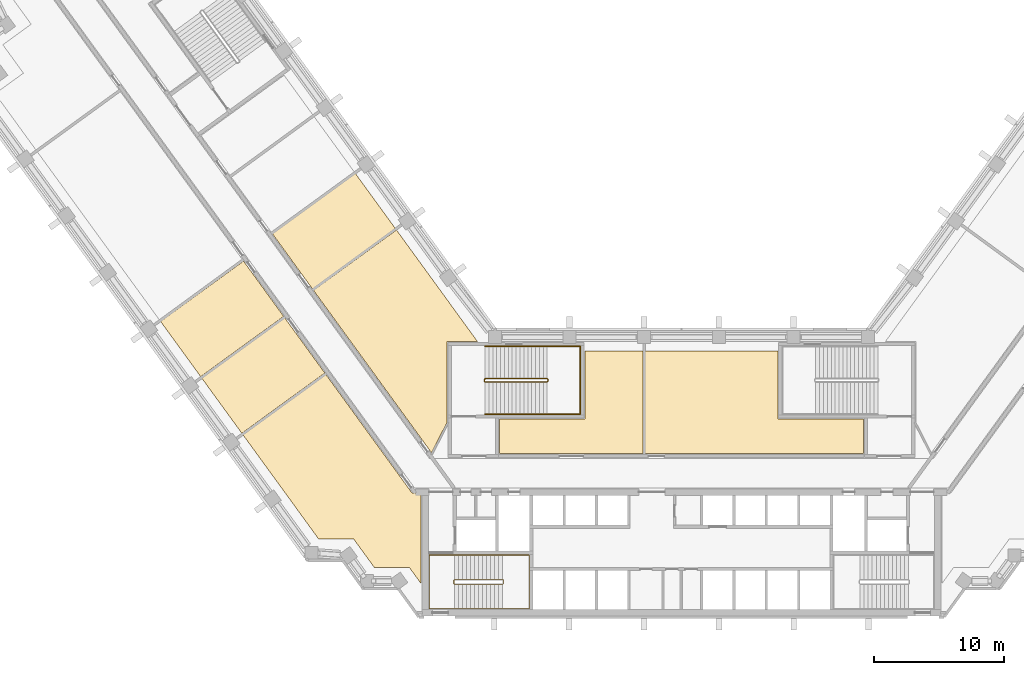
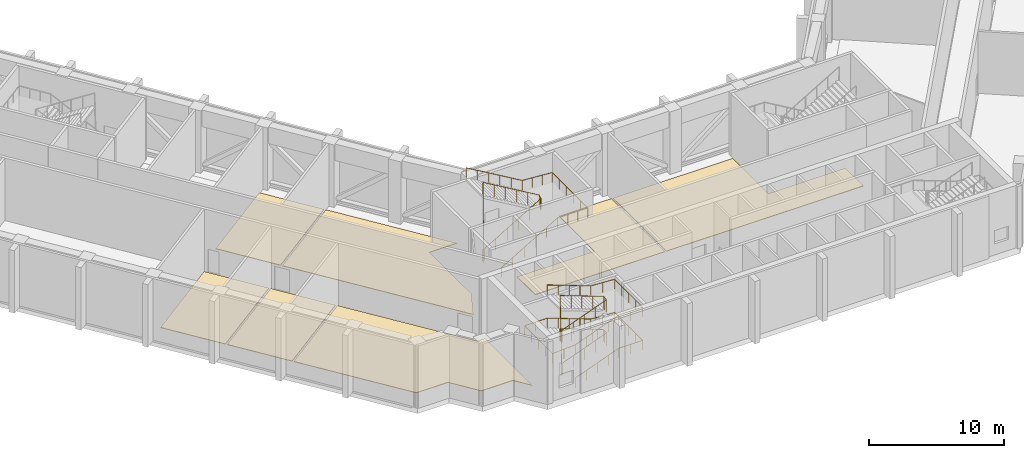
# One storey, part 16 of 18: 7 coverings, 4 railings.
"""IFC4 building model written with IfcOpenShell, lengths in metres."""

from ifc_helpers import new_model, si_unit, direction, frame, origin, origin_2d, place, context, subcontext, project, spatial, polyline, circle, outline, extrude, material, layer, layer_set, type_object, element, save


model = new_model("IFC4")

# Units and contexts
model_context = context("Model", 3, precision=1e-05, world=origin(), true_north=direction((0.0, 1.0)))
body_context = subcontext(model_context, "Body", "Model", "MODEL_VIEW")
ifc_project = project(units=[si_unit("LENGTHUNIT", "METRE"), si_unit("AREAUNIT", "SQUARE_METRE"), si_unit("VOLUMEUNIT", "CUBIC_METRE"), si_unit("PLANEANGLEUNIT", "RADIAN"), si_unit("MASSUNIT", "GRAM", prefix="KILO")], contexts=[model_context])

# Site, building, storey
site_placement = place(None, origin())
site = spatial("IfcSite", under=ifc_project, at=site_placement, CompositionType="ELEMENT")
building_placement = place(site_placement, origin())
building = spatial("IfcBuilding", under=site, at=building_placement, Name="Quipu Civic Tower", CompositionType="ELEMENT")
storey_placement = place(building_placement, frame((0.0, 0.0, 79.0)))
storey = spatial("IfcBuildingStorey", under=building, at=storey_placement, Name="L18", CompositionType="ELEMENT", Elevation=79.0)

# Coverings
ifc_material_1 = material(Name="Sealed cement screed")
ifc_layer = layer(ifc_material_1, 0.050048828125)
ifc_layer_set = layer_set([ifc_layer], Name="Sealed cement screed")
covering_type = type_object("IfcCoveringType", Name="Sealed screed floor finish 50", PredefinedType="FLOORING", material=ifc_layer_set)
covering_1_placement = place(storey_placement, origin())
element("IfcCovering", 1, at=covering_1_placement, inside=storey, type_object=covering_type, Name="Sealed screed floor finish 50", PredefinedType="FLOORING", context=body_context, shape_type="SweptSolid", body=[
    extrude(outline(polyline([(-2.80908203125, 1.52001953125), (-2.80908203125, 9.429931640625), (7.429931640625, 9.429931640625), (7.430908203125, 4.179931640625), (14.030029296875, 4.179931640625), (14.030029296875, 1.52001953125), (-2.80908203125, 1.52001953125)])), origin(), (0.0, 0.0, 1.0), 0.050048828125),
])
covering_2_placement = place(storey_placement, origin())
element("IfcCovering", 2, at=covering_2_placement, inside=storey, type_object=covering_type, Name="Sealed screed floor finish 50", PredefinedType="FLOORING", context=body_context, shape_type="SweptSolid", body=[
    extrude(outline(polyline([(-14.030029296875, 1.52001953125), (-14.030029296875, 4.179931640625), (-7.429931640625, 4.180908203125), (-7.429931640625, 9.429931640625), (-2.948974609375, 9.429931640625), (-2.948974609375, 1.52001953125), (-14.030029296875, 1.52001953125)])), origin(), (0.0, 0.0, 1.0), 0.050048828125),
])
covering_3_placement = place(storey_placement, origin())
element("IfcCovering", 3, at=covering_3_placement, inside=storey, type_object=covering_type, Name="Sealed screed floor finish 50", PredefinedType="FLOORING", context=body_context, shape_type="SweptSolid", body=[
    extrude(outline(polyline([(-31.544921875, 18.47802734375), (-25.14599609375, 23.1259765625), (-22.054931640625, 18.87109375), (-28.4541015625, 14.221923828125), (-31.544921875, 18.47802734375)])), origin(), (0.0, 0.0, 1.0), 0.050048828125),
])
covering_4_placement = place(storey_placement, origin())
element("IfcCovering", 4, at=covering_4_placement, inside=storey, type_object=covering_type, Name="Sealed screed floor finish 50", PredefinedType="FLOORING", context=body_context, shape_type="SweptSolid", body=[
    extrude(outline(polyline([(-33.81494140625, 2.972900390625), (-27.416015625, 7.62109375), (-20.77490234375, -1.51904296875), (-20.070068359375, -1.52001953125), (-20.070068359375, -8.514892578125), (-20.991943359375, -7.24609375), (-23.69189453125, -7.24609375), (-25.279052734375, -5.06103515625), (-27.97900390625, -5.06103515625), (-33.81494140625, 2.972900390625)])), origin(), (0.0, 0.0, 1.0), 0.050048828125),
])
covering_5_placement = place(storey_placement, origin())
element("IfcCovering", 5, at=covering_5_placement, inside=storey, type_object=covering_type, Name="Sealed screed floor finish 50", PredefinedType="FLOORING", context=body_context, shape_type="SweptSolid", body=[
    extrude(outline(polyline([(-28.37109375, 14.10888671875), (-21.971923828125, 18.758056640625), (-15.73193359375, 10.169921875), (-18.070068359375, 10.1689453125), (-18.070068359375, 3.94189453125), (-19.27197265625, 1.583984375), (-28.37109375, 14.10888671875)])), origin(), (0.0, 0.0, 1.0), 0.050048828125),
])
covering_6_placement = place(storey_placement, origin())
element("IfcCovering", 6, at=covering_6_placement, inside=storey, type_object=covering_type, Name="Sealed screed floor finish 50", PredefinedType="FLOORING", context=body_context, shape_type="SweptSolid", body=[
    extrude(outline(polyline([(-36.989013671875, 7.341064453125), (-30.590087890625, 11.989990234375), (-27.4990234375, 7.73388671875), (-33.89794921875, 3.0859375), (-36.989013671875, 7.341064453125)])), origin(), (0.0, 0.0, 1.0), 0.050048828125),
])
covering_7_placement = place(storey_placement, origin())
element("IfcCovering", 7, at=covering_7_placement, inside=storey, type_object=covering_type, Name="Sealed screed floor finish 50", PredefinedType="FLOORING", context=body_context, shape_type="SweptSolid", body=[
    extrude(outline(polyline([(-40.1630859375, 11.7099609375), (-33.763916015625, 16.35888671875), (-30.673095703125, 12.10302734375), (-37.072021484375, 7.4541015625), (-40.1630859375, 11.7099609375)])), origin(), (0.0, 0.0, 1.0), 0.050048828125),
])

# Railings
ifc_material_2 = material(Name="Stainless steel", Category="steel")
railing_type_1 = type_object("IfcRailingType", Name="Stair guard 1100", PredefinedType="GUARDRAIL", material=ifc_material_2)
railing_1_placement = place(storey_placement, frame((-17.5, -8.550048828125, 0.115478515625)))
element("IfcRailing", 8, at=railing_1_placement, inside=storey, type_object=railing_type_1, Name="Stair 1 guard", PredefinedType="GUARDRAIL", context=body_context, shape_type="SweptSolid", body=[
    extrude(circle(Radius=0.02392578125, at=origin_2d()), frame((0.0, 0.0, 1.076171875), z_axis=(0.937193329374, 0.0, 0.348810354458), x_axis=(0.0, 1.0, 0.0)), (0.0, 0.0, 1.0), 3.96923828125),
    extrude(circle(Radius=0.02392578125, at=origin_2d()), frame((3.719970703125, 0.0, 2.46044921875), z_axis=(0.707106781187, 0.707106781187, 0.0), x_axis=(-0.707106781187, 0.707106781187, 0.0)), (0.0, 0.0, 1.0), 0.07080078125),
    extrude(circle(Radius=0.02392578125, at=origin_2d()), frame((3.77001953125, 0.050048828125, 2.46044921875), z_axis=(0.0, 1.0, 0.0), x_axis=(-1.0, 0.0, 0.0)), (0.0, 0.0, 1.0), 0.25),
    extrude(circle(Radius=0.02392578125, at=origin_2d()), frame((3.77001953125, 0.300048828125, 2.46044921875), z_axis=(-0.3695169537, 0.3695169537, 0.852592776099), x_axis=(-0.707106781187, -0.707106781187, 0.0)), (0.0, 0.0, 1.0), 0.135498046875),
    extrude(circle(Radius=0.02392578125, at=origin_2d()), frame((3.719970703125, 0.35009765625, 2.576171875), z_axis=(-0.937193329374, 0.0, 0.348810354458), x_axis=(0.0, -1.0, 0.0)), (0.0, 0.0, 1.0), 3.96923828125),
    extrude(circle(Radius=0.02392578125, at=origin_2d()), frame((0.0, 0.35009765625, 3.96044921875), z_axis=(-0.164529134168, -0.986372223864, 0.0), x_axis=(0.986372223864, -0.164529134168, 0.0)), (0.0, 0.0, 1.0), 0.30419921875),
    extrude(circle(Radius=0.02392578125, at=origin_2d()), frame((-0.050048828125, 0.050048828125, 3.96044921875), z_axis=(0.0, 1.0, 0.0), x_axis=(-1.0, 0.0, 0.0)), (0.0, 0.0, 1.0), 0.25),
    extrude(circle(Radius=0.02392578125, at=origin_2d()), frame((-0.050048828125, 0.300048828125, 3.96044921875), z_axis=(0.153818488509, -0.922160596963, 0.354908024706), x_axis=(0.986372223864, 0.164529134168, 0.0)), (0.0, 0.0, 1.0), 0.325439453125),
    extrude(circle(Radius=0.02392578125, at=origin_2d()), frame((0.0, 0.0, 4.076171875), z_axis=(0.937193329374, 0.0, 0.348810354458), x_axis=(0.0, 1.0, 0.0)), (0.0, 0.0, 1.0), 3.96923828125),
    extrude(circle(Radius=0.02392578125, at=origin_2d()), frame((3.719970703125, 0.0, 5.46044921875), z_axis=(0.707106781187, 0.707106781187, 0.0), x_axis=(-0.707106781187, 0.707106781187, 0.0)), (0.0, 0.0, 1.0), 0.07080078125),
    extrude(circle(Radius=0.02392578125, at=origin_2d()), frame((3.77001953125, 0.050048828125, 5.46044921875), z_axis=(0.0, 1.0, 0.0), x_axis=(-1.0, 0.0, 0.0)), (0.0, 0.0, 1.0), 0.25),
    extrude(circle(Radius=0.02392578125, at=origin_2d()), frame((3.77001953125, 0.300048828125, 5.46044921875), z_axis=(-0.3695169537, 0.3695169537, 0.852592776099), x_axis=(-0.707106781187, -0.707106781187, 0.0)), (0.0, 0.0, 1.0), 0.135498046875),
    extrude(circle(Radius=0.02392578125, at=origin_2d()), frame((3.719970703125, 0.35009765625, 5.576171875), z_axis=(-0.937193329374, 0.0, 0.348810354458), x_axis=(0.0, -1.0, 0.0)), (0.0, 0.0, 1.0), 3.96923828125),
    extrude(circle(Radius=0.02392578125, at=origin_2d()), frame((0.0, 0.35009765625, 6.96044921875), z_axis=(-0.008330771543, -0.049943991347, -0.998717275296), x_axis=(0.986372223864, -0.164529134168, 0.0)), (0.0, 0.0, 1.0), 6.0078125),
    extrude(circle(Radius=0.02392578125, at=origin_2d()), frame((-0.050048828125, 0.050048828125, 0.96044921875), z_axis=(0.0, 1.0, 0.0), x_axis=(-1.0, 0.0, 0.0)), (0.0, 0.0, 1.0), 0.25),
    extrude(circle(Radius=0.02099609375, at=origin_2d()), origin(), (0.0, 0.0, 1.0), 1.052001953125),
    extrude(circle(Radius=0.02099609375, at=origin_2d()), frame((0.929931640625, 0.0, 0.34619140625)), (0.0, 0.0, 1.0), 1.052001953125),
    extrude(circle(Radius=0.02099609375, at=origin_2d()), frame((1.85986328125, 0.0, 0.6923828125)), (0.0, 0.0, 1.0), 1.052001953125),
    extrude(circle(Radius=0.02099609375, at=origin_2d()), frame((2.7900390625, 0.0, 1.038330078125)), (0.0, 0.0, 1.0), 1.052001953125),
    extrude(circle(Radius=0.02099609375, at=origin_2d()), frame((3.719970703125, 0.0, 1.384521484375)), (0.0, 0.0, 1.0), 1.052001953125),
    extrude(circle(Radius=0.02099609375, at=origin_2d()), frame((3.77001953125, 0.050048828125, 1.384521484375)), (0.0, 0.0, 1.0), 1.052001953125),
    extrude(circle(Radius=0.02099609375, at=origin_2d()), frame((3.77001953125, 0.300048828125, 1.384521484375)), (0.0, 0.0, 1.0), 1.052001953125),
    extrude(circle(Radius=0.02099609375, at=origin_2d()), frame((3.719970703125, 0.35009765625, 1.5)), (0.0, 0.0, 1.0), 1.052001953125),
    extrude(circle(Radius=0.02099609375, at=origin_2d()), frame((2.7900390625, 0.35009765625, 1.84619140625)), (0.0, 0.0, 1.0), 1.052001953125),
    extrude(circle(Radius=0.02099609375, at=origin_2d()), frame((1.85986328125, 0.35009765625, 2.1923828125)), (0.0, 0.0, 1.0), 1.052001953125),
    extrude(circle(Radius=0.02099609375, at=origin_2d()), frame((0.929931640625, 0.35009765625, 2.538330078125)), (0.0, 0.0, 1.0), 1.052001953125),
    extrude(circle(Radius=0.02099609375, at=origin_2d()), frame((0.0, 0.35009765625, 2.884521484375)), (0.0, 0.0, 1.0), 1.052001953125),
    extrude(circle(Radius=0.02099609375, at=origin_2d()), frame((-0.050048828125, 0.050048828125, 2.884521484375)), (0.0, 0.0, 1.0), 1.052001953125),
    extrude(circle(Radius=0.02099609375, at=origin_2d()), frame((-0.050048828125, 0.300048828125, 2.884521484375)), (0.0, 0.0, 1.0), 1.052001953125),
    extrude(circle(Radius=0.02099609375, at=origin_2d()), frame((0.0, 0.0, 3.0)), (0.0, 0.0, 1.0), 1.052001953125),
    extrude(circle(Radius=0.02099609375, at=origin_2d()), frame((0.929931640625, 0.0, 3.34619140625)), (0.0, 0.0, 1.0), 1.052001953125),
    extrude(circle(Radius=0.02099609375, at=origin_2d()), frame((1.85986328125, 0.0, 3.6923828125)), (0.0, 0.0, 1.0), 1.052001953125),
    extrude(circle(Radius=0.02099609375, at=origin_2d()), frame((2.7900390625, 0.0, 4.038330078125)), (0.0, 0.0, 1.0), 1.052001953125),
    extrude(circle(Radius=0.02099609375, at=origin_2d()), frame((3.719970703125, 0.0, 4.384521484375)), (0.0, 0.0, 1.0), 1.052001953125),
    extrude(circle(Radius=0.02099609375, at=origin_2d()), frame((3.77001953125, 0.050048828125, 4.384521484375)), (0.0, 0.0, 1.0), 1.052001953125),
    extrude(circle(Radius=0.02099609375, at=origin_2d()), frame((3.77001953125, 0.300048828125, 4.384521484375)), (0.0, 0.0, 1.0), 1.052001953125),
    extrude(circle(Radius=0.02099609375, at=origin_2d()), frame((3.719970703125, 0.35009765625, 4.5)), (0.0, 0.0, 1.0), 1.052001953125),
    extrude(circle(Radius=0.02099609375, at=origin_2d()), frame((2.7900390625, 0.35009765625, 4.84619140625)), (0.0, 0.0, 1.0), 1.052001953125),
    extrude(circle(Radius=0.02099609375, at=origin_2d()), frame((1.85986328125, 0.35009765625, 5.1923828125)), (0.0, 0.0, 1.0), 1.052001953125),
    extrude(circle(Radius=0.02099609375, at=origin_2d()), frame((0.929931640625, 0.35009765625, 5.538330078125)), (0.0, 0.0, 1.0), 1.052001953125),
    extrude(circle(Radius=0.02099609375, at=origin_2d()), frame((0.0, 0.35009765625, 5.884521484375)), (0.0, 0.0, 1.0), 1.052001953125),
    extrude(circle(Radius=0.02099609375, at=origin_2d()), frame((-0.00830078125, 0.300048828125, 4.884521484375)), (0.0, 0.0, 1.0), 1.052001953125),
    extrude(circle(Radius=0.02099609375, at=origin_2d()), frame((-0.0166015625, 0.25, 3.884521484375)), (0.0, 0.0, 1.0), 1.052001953125),
    extrude(circle(Radius=0.02099609375, at=origin_2d()), frame((-0.02490234375, 0.2001953125, 2.884521484375)), (0.0, 0.0, 1.0), 1.052001953125),
    extrude(circle(Radius=0.02099609375, at=origin_2d()), frame((-0.033447265625, 0.150146484375, 1.884521484375)), (0.0, 0.0, 1.0), 1.052001953125),
    extrude(circle(Radius=0.02099609375, at=origin_2d()), frame((-0.041748046875, 0.10009765625, 0.884521484375)), (0.0, 0.0, 1.0), 1.052001953125),
    extrude(circle(Radius=0.02099609375, at=origin_2d()), frame((-0.050048828125, 0.050048828125, -0.115478515625)), (0.0, 0.0, 1.0), 1.052001953125),
    extrude(circle(Radius=0.02099609375, at=origin_2d()), frame((-0.050048828125, 0.300048828125, -0.115478515625)), (0.0, 0.0, 1.0), 1.052001953125),
])
railing_2_placement = place(storey_placement, frame((-15.14990234375, 7.050048828125, 0.176513671875)))
element("IfcRailing", 9, at=railing_2_placement, inside=storey, type_object=railing_type_1, Name="Stair 3 guard", PredefinedType="GUARDRAIL", context=body_context, shape_type="SweptSolid", body=[
    extrude(circle(Radius=0.02392578125, at=origin_2d()), frame((0.0, 0.0, 1.076171875), z_axis=(0.86192857992, 0.0, 0.507029706346), x_axis=(0.0, 1.0, 0.0)), (0.0, 0.0, 1.0), 5.568603515625),
    extrude(circle(Radius=0.02392578125, at=origin_2d()), frame((4.7998046875, 0.0, 3.8994140625), z_axis=(0.707106781187, 0.707106781187, 0.0), x_axis=(-0.707106781187, 0.707106781187, 0.0)), (0.0, 0.0, 1.0), 0.07080078125),
    extrude(circle(Radius=0.02392578125, at=origin_2d()), frame((4.849853515625, 0.050048828125, 3.8994140625), z_axis=(0.0, 1.0, 0.0), x_axis=(-1.0, 0.0, 0.0)), (0.0, 0.0, 1.0), 0.14990234375),
    extrude(circle(Radius=0.02392578125, at=origin_2d()), frame((4.849853515625, 0.199951171875, 3.8994140625), z_axis=(-0.263171338983, 0.263171338983, 0.928160380902), x_axis=(-0.707106781187, -0.707106781187, 0.0)), (0.0, 0.0, 1.0), 0.190185546875),
    extrude(circle(Radius=0.02392578125, at=origin_2d()), frame((4.7998046875, 0.25, 4.076171875), z_axis=(-0.86192857992, 0.0, 0.507029706346), x_axis=(0.0, -1.0, 0.0)), (0.0, 0.0, 1.0), 5.568603515625),
    extrude(circle(Radius=0.02392578125, at=origin_2d()), frame((0.0, 0.25, 6.8994140625), z_axis=(-0.008336553618, -0.033305548356, -0.999410447375), x_axis=(0.970072785993, -0.242814311512, 0.0)), (0.0, 0.0, 1.0), 6.00341796875),
    extrude(circle(Radius=0.02392578125, at=origin_2d()), frame((-0.050048828125, 0.050048828125, 0.8994140625), z_axis=(0.0, 1.0, 0.0), x_axis=(-1.0, 0.0, 0.0)), (0.0, 0.0, 1.0), 0.14990234375),
    extrude(circle(Radius=0.02099609375, at=origin_2d()), origin(), (0.0, 0.0, 1.0), 1.052001953125),
    extrude(circle(Radius=0.02099609375, at=origin_2d()), frame((0.9599609375, 0.0, 0.564697265625)), (0.0, 0.0, 1.0), 1.052001953125),
    extrude(circle(Radius=0.02099609375, at=origin_2d()), frame((1.919921875, 0.0, 1.12939453125)), (0.0, 0.0, 1.0), 1.052001953125),
    extrude(circle(Radius=0.02099609375, at=origin_2d()), frame((2.8798828125, 0.0, 1.694091796875)), (0.0, 0.0, 1.0), 1.052001953125),
    extrude(circle(Radius=0.02099609375, at=origin_2d()), frame((3.83984375, 0.0, 2.2587890625)), (0.0, 0.0, 1.0), 1.052001953125),
    extrude(circle(Radius=0.02099609375, at=origin_2d()), frame((4.7998046875, 0.0, 2.823486328125)), (0.0, 0.0, 1.0), 1.052001953125),
    extrude(circle(Radius=0.02099609375, at=origin_2d()), frame((4.849853515625, 0.050048828125, 2.823486328125)), (0.0, 0.0, 1.0), 1.052001953125),
    extrude(circle(Radius=0.02099609375, at=origin_2d()), frame((4.849853515625, 0.199951171875, 2.823486328125)), (0.0, 0.0, 1.0), 1.052001953125),
    extrude(circle(Radius=0.02099609375, at=origin_2d()), frame((4.7998046875, 0.25, 3.0)), (0.0, 0.0, 1.0), 1.052001953125),
    extrude(circle(Radius=0.02099609375, at=origin_2d()), frame((3.83984375, 0.25, 3.564697265625)), (0.0, 0.0, 1.0), 1.052001953125),
    extrude(circle(Radius=0.02099609375, at=origin_2d()), frame((2.8798828125, 0.25, 4.12939453125)), (0.0, 0.0, 1.0), 1.052001953125),
    extrude(circle(Radius=0.02099609375, at=origin_2d()), frame((1.919921875, 0.25, 4.694091796875)), (0.0, 0.0, 1.0), 1.052001953125),
    extrude(circle(Radius=0.02099609375, at=origin_2d()), frame((0.9599609375, 0.25, 5.2587890625)), (0.0, 0.0, 1.0), 1.052001953125),
    extrude(circle(Radius=0.02099609375, at=origin_2d()), frame((0.0, 0.25, 5.823486328125)), (0.0, 0.0, 1.0), 1.052001953125),
    extrude(circle(Radius=0.02099609375, at=origin_2d()), frame((-0.00830078125, 0.216796875, 4.823486328125)), (0.0, 0.0, 1.0), 1.052001953125),
    extrude(circle(Radius=0.02099609375, at=origin_2d()), frame((-0.0166015625, 0.183349609375, 3.823486328125)), (0.0, 0.0, 1.0), 1.052001953125),
    extrude(circle(Radius=0.02099609375, at=origin_2d()), frame((-0.02490234375, 0.14990234375, 2.823486328125)), (0.0, 0.0, 1.0), 1.052001953125),
    extrude(circle(Radius=0.02099609375, at=origin_2d()), frame((-0.033447265625, 0.11669921875, 1.823486328125)), (0.0, 0.0, 1.0), 1.052001953125),
    extrude(circle(Radius=0.02099609375, at=origin_2d()), frame((-0.041748046875, 0.08349609375, 0.823486328125)), (0.0, 0.0, 1.0), 1.052001953125),
    extrude(circle(Radius=0.02099609375, at=origin_2d()), frame((-0.050048828125, 0.050048828125, -0.176513671875)), (0.0, 0.0, 1.0), 1.052001953125),
    extrude(circle(Radius=0.02099609375, at=origin_2d()), frame((-0.050048828125, 0.199951171875, -0.176513671875)), (0.0, 0.0, 1.0), 1.052001953125),
])
ifc_material_3 = material(Name="Stainless steel", Category="steel")
railing_type_2 = type_object("IfcRailingType", Name="Stair handrail", PredefinedType="HANDRAIL", material=ifc_material_3)
railing_3_placement = place(storey_placement, frame((-17.5, -10.449951171875, 0.115478515625)))
element("IfcRailing", 10, at=railing_3_placement, inside=storey, type_object=railing_type_2, Name="Stair 1 handrail", PredefinedType="HANDRAIL", context=body_context, shape_type="SweptSolid", body=[
    extrude(circle(Radius=0.02392578125, at=origin_2d()), frame((0.0, 0.0, 0.8759765625), z_axis=(0.937193329374, 0.0, 0.348810354458), x_axis=(0.0, 1.0, 0.0)), (0.0, 0.0, 1.0), 3.96923828125),
    extrude(circle(Radius=0.02392578125, at=origin_2d()), frame((3.719970703125, 0.0, 2.26025390625), z_axis=(1.0, 0.0, 0.0), x_axis=(0.0, 1.0, 0.0)), (0.0, 0.0, 1.0), 2.030029296875),
    extrude(circle(Radius=0.02392578125, at=origin_2d()), frame((5.75, 0.0, 2.26025390625), z_axis=(0.0, 1.0, 0.0), x_axis=(-1.0, 0.0, 0.0)), (0.0, 0.0, 1.0), 4.14990234375),
    extrude(circle(Radius=0.02392578125, at=origin_2d()), frame((5.75, 4.14990234375, 2.26025390625), z_axis=(-0.99838595614, 0.0, 0.056793332201), x_axis=(0.0, -1.0, 0.0)), (0.0, 0.0, 1.0), 2.033203125),
    extrude(circle(Radius=0.02392578125, at=origin_2d()), frame((3.719970703125, 4.14990234375, 2.3759765625), z_axis=(-0.937193329374, 0.0, 0.348810354458), x_axis=(0.0, -1.0, 0.0)), (0.0, 0.0, 1.0), 3.96923828125),
    extrude(circle(Radius=0.02392578125, at=origin_2d()), frame((0.0, 4.14990234375, 3.76025390625), z_axis=(-1.0, 0.0, 0.0), x_axis=(0.0, -1.0, 0.0)), (0.0, 0.0, 1.0), 1.949951171875),
    extrude(circle(Radius=0.02392578125, at=origin_2d()), frame((-1.949951171875, 4.14990234375, 3.76025390625), z_axis=(0.0, -1.0, 0.0), x_axis=(1.0, 0.0, 0.0)), (0.0, 0.0, 1.0), 4.14990234375),
    extrude(circle(Radius=0.02392578125, at=origin_2d()), frame((-1.949951171875, 0.0, 3.76025390625), z_axis=(0.998251021802, 0.0, 0.059117657858), x_axis=(0.0, 1.0, 0.0)), (0.0, 0.0, 1.0), 1.953369140625),
    extrude(circle(Radius=0.02392578125, at=origin_2d()), frame((0.0, 0.0, 3.8759765625), z_axis=(0.937193329374, 0.0, 0.348810354458), x_axis=(0.0, 1.0, 0.0)), (0.0, 0.0, 1.0), 3.96923828125),
    extrude(circle(Radius=0.02392578125, at=origin_2d()), frame((3.719970703125, 0.0, 5.26025390625), z_axis=(1.0, 0.0, 0.0), x_axis=(0.0, 1.0, 0.0)), (0.0, 0.0, 1.0), 2.030029296875),
    extrude(circle(Radius=0.02392578125, at=origin_2d()), frame((5.75, 0.0, 5.26025390625), z_axis=(0.0, 1.0, 0.0), x_axis=(-1.0, 0.0, 0.0)), (0.0, 0.0, 1.0), 4.14990234375),
    extrude(circle(Radius=0.02392578125, at=origin_2d()), frame((5.75, 4.14990234375, 5.26025390625), z_axis=(-0.99838595614, 0.0, 0.056793332201), x_axis=(0.0, -1.0, 0.0)), (0.0, 0.0, 1.0), 2.033203125),
    extrude(circle(Radius=0.02392578125, at=origin_2d()), frame((3.719970703125, 4.14990234375, 5.3759765625), z_axis=(-0.937193329374, 0.0, 0.348810354458), x_axis=(0.0, -1.0, 0.0)), (0.0, 0.0, 1.0), 3.96923828125),
    extrude(circle(Radius=0.02099609375, at=origin_2d()), origin(), (0.0, 0.0, 1.0), 0.851806640625),
    extrude(circle(Radius=0.02099609375, at=origin_2d()), frame((0.929931640625, 0.0, 0.34619140625)), (0.0, 0.0, 1.0), 0.851806640625),
    extrude(circle(Radius=0.02099609375, at=origin_2d()), frame((1.85986328125, 0.0, 0.6923828125)), (0.0, 0.0, 1.0), 0.851806640625),
    extrude(circle(Radius=0.02099609375, at=origin_2d()), frame((2.7900390625, 0.0, 1.038330078125)), (0.0, 0.0, 1.0), 0.851806640625),
    extrude(circle(Radius=0.02099609375, at=origin_2d()), frame((3.719970703125, 0.0, 1.384521484375)), (0.0, 0.0, 1.0), 0.851806640625),
    extrude(circle(Radius=0.02099609375, at=origin_2d()), frame((4.73486328125, 0.0, 1.384521484375)), (0.0, 0.0, 1.0), 0.851806640625),
    extrude(circle(Radius=0.02099609375, at=origin_2d()), frame((5.75, 0.0, 1.384521484375)), (0.0, 0.0, 1.0), 0.851806640625),
    extrude(circle(Radius=0.02099609375, at=origin_2d()), frame((5.75, 1.03759765625, 1.384521484375)), (0.0, 0.0, 1.0), 0.851806640625),
    extrude(circle(Radius=0.02099609375, at=origin_2d()), frame((5.75, 2.074951171875, 1.384521484375)), (0.0, 0.0, 1.0), 0.851806640625),
    extrude(circle(Radius=0.02099609375, at=origin_2d()), frame((5.75, 3.1123046875, 1.384521484375)), (0.0, 0.0, 1.0), 0.851806640625),
    extrude(circle(Radius=0.02099609375, at=origin_2d()), frame((5.75, 4.14990234375, 1.384521484375)), (0.0, 0.0, 1.0), 0.851806640625),
    extrude(circle(Radius=0.02099609375, at=origin_2d()), frame((4.73486328125, 4.14990234375, 1.4423828125)), (0.0, 0.0, 1.0), 0.851806640625),
    extrude(circle(Radius=0.02099609375, at=origin_2d()), frame((3.719970703125, 4.14990234375, 1.5)), (0.0, 0.0, 1.0), 0.851806640625),
    extrude(circle(Radius=0.02099609375, at=origin_2d()), frame((2.7900390625, 4.14990234375, 1.84619140625)), (0.0, 0.0, 1.0), 0.851806640625),
    extrude(circle(Radius=0.02099609375, at=origin_2d()), frame((1.85986328125, 4.14990234375, 2.1923828125)), (0.0, 0.0, 1.0), 0.851806640625),
    extrude(circle(Radius=0.02099609375, at=origin_2d()), frame((0.929931640625, 4.14990234375, 2.538330078125)), (0.0, 0.0, 1.0), 0.851806640625),
    extrude(circle(Radius=0.02099609375, at=origin_2d()), frame((0.0, 4.14990234375, 2.884521484375)), (0.0, 0.0, 1.0), 0.851806640625),
    extrude(circle(Radius=0.02099609375, at=origin_2d()), frame((-0.97509765625, 4.14990234375, 2.884521484375)), (0.0, 0.0, 1.0), 0.851806640625),
    extrude(circle(Radius=0.02099609375, at=origin_2d()), frame((-1.949951171875, 4.14990234375, 2.884521484375)), (0.0, 0.0, 1.0), 0.851806640625),
    extrude(circle(Radius=0.02099609375, at=origin_2d()), frame((-1.949951171875, 3.1123046875, 2.884521484375)), (0.0, 0.0, 1.0), 0.851806640625),
    extrude(circle(Radius=0.02099609375, at=origin_2d()), frame((-1.949951171875, 2.074951171875, 2.884521484375)), (0.0, 0.0, 1.0), 0.851806640625),
    extrude(circle(Radius=0.02099609375, at=origin_2d()), frame((-1.949951171875, 1.03759765625, 2.884521484375)), (0.0, 0.0, 1.0), 0.851806640625),
    extrude(circle(Radius=0.02099609375, at=origin_2d()), frame((-1.949951171875, 0.0, 2.884521484375)), (0.0, 0.0, 1.0), 0.851806640625),
    extrude(circle(Radius=0.02099609375, at=origin_2d()), frame((-0.97509765625, 0.0, 2.9423828125)), (0.0, 0.0, 1.0), 0.851806640625),
    extrude(circle(Radius=0.02099609375, at=origin_2d()), frame((0.0, 0.0, 3.0)), (0.0, 0.0, 1.0), 0.851806640625),
    extrude(circle(Radius=0.02099609375, at=origin_2d()), frame((0.929931640625, 0.0, 3.34619140625)), (0.0, 0.0, 1.0), 0.851806640625),
    extrude(circle(Radius=0.02099609375, at=origin_2d()), frame((1.85986328125, 0.0, 3.6923828125)), (0.0, 0.0, 1.0), 0.851806640625),
    extrude(circle(Radius=0.02099609375, at=origin_2d()), frame((2.7900390625, 0.0, 4.038330078125)), (0.0, 0.0, 1.0), 0.851806640625),
    extrude(circle(Radius=0.02099609375, at=origin_2d()), frame((3.719970703125, 0.0, 4.384521484375)), (0.0, 0.0, 1.0), 0.851806640625),
    extrude(circle(Radius=0.02099609375, at=origin_2d()), frame((4.73486328125, 0.0, 4.384521484375)), (0.0, 0.0, 1.0), 0.851806640625),
    extrude(circle(Radius=0.02099609375, at=origin_2d()), frame((5.75, 0.0, 4.384521484375)), (0.0, 0.0, 1.0), 0.851806640625),
    extrude(circle(Radius=0.02099609375, at=origin_2d()), frame((5.75, 1.03759765625, 4.384521484375)), (0.0, 0.0, 1.0), 0.851806640625),
    extrude(circle(Radius=0.02099609375, at=origin_2d()), frame((5.75, 2.074951171875, 4.384521484375)), (0.0, 0.0, 1.0), 0.851806640625),
    extrude(circle(Radius=0.02099609375, at=origin_2d()), frame((5.75, 3.1123046875, 4.384521484375)), (0.0, 0.0, 1.0), 0.851806640625),
    extrude(circle(Radius=0.02099609375, at=origin_2d()), frame((5.75, 4.14990234375, 4.384521484375)), (0.0, 0.0, 1.0), 0.851806640625),
    extrude(circle(Radius=0.02099609375, at=origin_2d()), frame((4.73486328125, 4.14990234375, 4.4423828125)), (0.0, 0.0, 1.0), 0.851806640625),
    extrude(circle(Radius=0.02099609375, at=origin_2d()), frame((3.719970703125, 4.14990234375, 4.5)), (0.0, 0.0, 1.0), 0.851806640625),
    extrude(circle(Radius=0.02099609375, at=origin_2d()), frame((2.7900390625, 4.14990234375, 4.84619140625)), (0.0, 0.0, 1.0), 0.851806640625),
    extrude(circle(Radius=0.02099609375, at=origin_2d()), frame((1.85986328125, 4.14990234375, 5.1923828125)), (0.0, 0.0, 1.0), 0.851806640625),
    extrude(circle(Radius=0.02099609375, at=origin_2d()), frame((0.929931640625, 4.14990234375, 5.538330078125)), (0.0, 0.0, 1.0), 0.851806640625),
    extrude(circle(Radius=0.02099609375, at=origin_2d()), frame((0.0, 4.14990234375, 5.884521484375)), (0.0, 0.0, 1.0), 0.851806640625),
])
railing_4_placement = place(storey_placement, frame((-15.14990234375, 4.550048828125, 0.176513671875)))
element("IfcRailing", 11, at=railing_4_placement, inside=storey, type_object=railing_type_2, Name="Stair 3 handrail", PredefinedType="HANDRAIL", context=body_context, shape_type="SweptSolid", body=[
    extrude(circle(Radius=0.02392578125, at=origin_2d()), frame((0.0, 0.0, 0.8759765625), z_axis=(0.86192857992, 0.0, 0.507029706346), x_axis=(0.0, 1.0, 0.0)), (0.0, 0.0, 1.0), 5.568603515625),
    extrude(circle(Radius=0.02392578125, at=origin_2d()), frame((4.7998046875, 0.0, 3.69921875), z_axis=(1.0, 0.0, 0.0), x_axis=(0.0, 1.0, 0.0)), (0.0, 0.0, 1.0), 2.550048828125),
    extrude(circle(Radius=0.02392578125, at=origin_2d()), frame((7.349853515625, 0.0, 3.69921875), z_axis=(0.0, 1.0, 0.0), x_axis=(-1.0, 0.0, 0.0)), (0.0, 0.0, 1.0), 5.25),
    extrude(circle(Radius=0.02392578125, at=origin_2d()), frame((7.349853515625, 5.25, 3.69921875), z_axis=(-0.997612889748, 0.0, 0.069054487246), x_axis=(0.0, -1.0, 0.0)), (0.0, 0.0, 1.0), 2.55615234375),
    extrude(circle(Radius=0.02392578125, at=origin_2d()), frame((4.7998046875, 5.25, 3.8759765625), z_axis=(-0.86192857992, 0.0, 0.507029706346), x_axis=(0.0, -1.0, 0.0)), (0.0, 0.0, 1.0), 5.568603515625),
    extrude(circle(Radius=0.02099609375, at=origin_2d()), origin(), (0.0, 0.0, 1.0), 0.851806640625),
    extrude(circle(Radius=0.02099609375, at=origin_2d()), frame((0.9599609375, 0.0, 0.564697265625)), (0.0, 0.0, 1.0), 0.851806640625),
    extrude(circle(Radius=0.02099609375, at=origin_2d()), frame((1.919921875, 0.0, 1.12939453125)), (0.0, 0.0, 1.0), 0.851806640625),
    extrude(circle(Radius=0.02099609375, at=origin_2d()), frame((2.8798828125, 0.0, 1.694091796875)), (0.0, 0.0, 1.0), 0.851806640625),
    extrude(circle(Radius=0.02099609375, at=origin_2d()), frame((3.83984375, 0.0, 2.2587890625)), (0.0, 0.0, 1.0), 0.851806640625),
    extrude(circle(Radius=0.02099609375, at=origin_2d()), frame((4.7998046875, 0.0, 2.823486328125)), (0.0, 0.0, 1.0), 0.851806640625),
    extrude(circle(Radius=0.02099609375, at=origin_2d()), frame((5.64990234375, 0.0, 2.823486328125)), (0.0, 0.0, 1.0), 0.851806640625),
    extrude(circle(Radius=0.02099609375, at=origin_2d()), frame((6.499755859375, 0.0, 2.823486328125)), (0.0, 0.0, 1.0), 0.851806640625),
    extrude(circle(Radius=0.02099609375, at=origin_2d()), frame((7.349853515625, 0.0, 2.823486328125)), (0.0, 0.0, 1.0), 0.851806640625),
    extrude(circle(Radius=0.02099609375, at=origin_2d()), frame((7.349853515625, 1.050048828125, 2.823486328125)), (0.0, 0.0, 1.0), 0.851806640625),
    extrude(circle(Radius=0.02099609375, at=origin_2d()), frame((7.349853515625, 2.10009765625, 2.823486328125)), (0.0, 0.0, 1.0), 0.851806640625),
    extrude(circle(Radius=0.02099609375, at=origin_2d()), frame((7.349853515625, 3.14990234375, 2.823486328125)), (0.0, 0.0, 1.0), 0.851806640625),
    extrude(circle(Radius=0.02099609375, at=origin_2d()), frame((7.349853515625, 4.199951171875, 2.823486328125)), (0.0, 0.0, 1.0), 0.851806640625),
    extrude(circle(Radius=0.02099609375, at=origin_2d()), frame((7.349853515625, 5.25, 2.823486328125)), (0.0, 0.0, 1.0), 0.851806640625),
    extrude(circle(Radius=0.02099609375, at=origin_2d()), frame((6.499755859375, 5.25, 2.88232421875)), (0.0, 0.0, 1.0), 0.851806640625),
    extrude(circle(Radius=0.02099609375, at=origin_2d()), frame((5.64990234375, 5.25, 2.941162109375)), (0.0, 0.0, 1.0), 0.851806640625),
    extrude(circle(Radius=0.02099609375, at=origin_2d()), frame((4.7998046875, 5.25, 3.0)), (0.0, 0.0, 1.0), 0.851806640625),
    extrude(circle(Radius=0.02099609375, at=origin_2d()), frame((3.83984375, 5.25, 3.564697265625)), (0.0, 0.0, 1.0), 0.851806640625),
    extrude(circle(Radius=0.02099609375, at=origin_2d()), frame((2.8798828125, 5.25, 4.12939453125)), (0.0, 0.0, 1.0), 0.851806640625),
    extrude(circle(Radius=0.02099609375, at=origin_2d()), frame((1.919921875, 5.25, 4.694091796875)), (0.0, 0.0, 1.0), 0.851806640625),
    extrude(circle(Radius=0.02099609375, at=origin_2d()), frame((0.9599609375, 5.25, 5.2587890625)), (0.0, 0.0, 1.0), 0.851806640625),
    extrude(circle(Radius=0.02099609375, at=origin_2d()), frame((0.0, 5.25, 5.823486328125)), (0.0, 0.0, 1.0), 0.851806640625),
])

save(model, "model.ifc")
